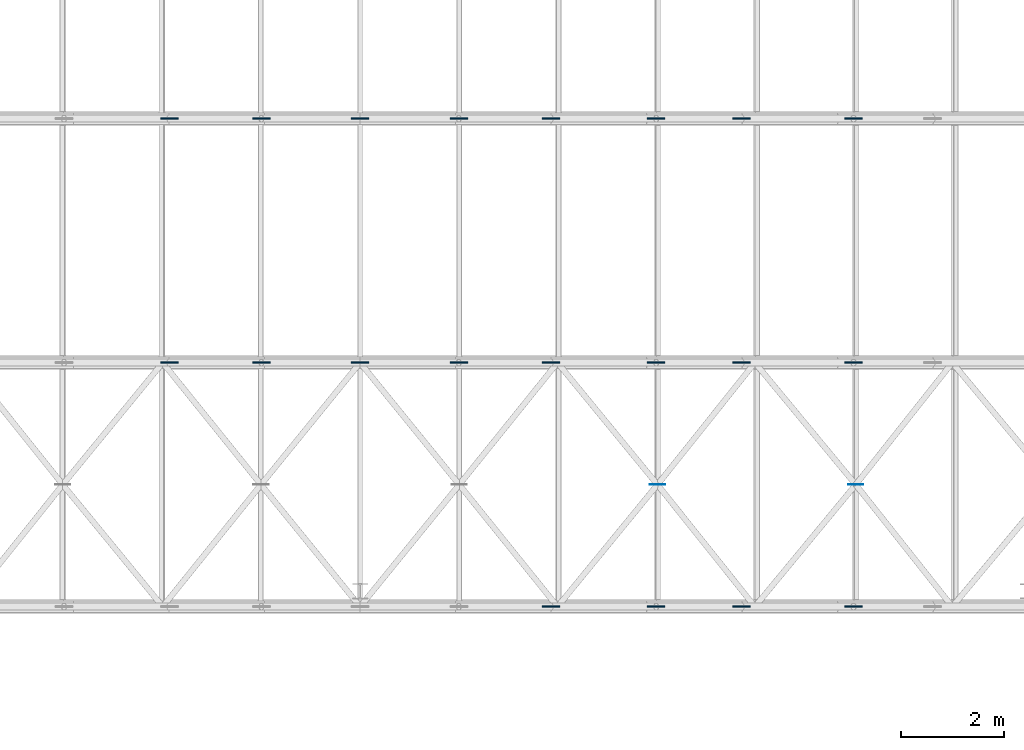
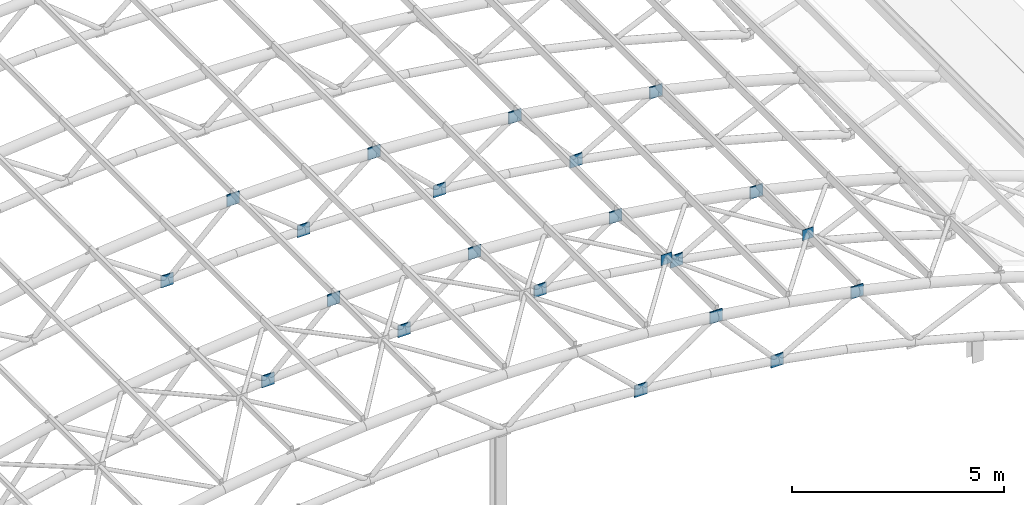
# One storey, part 12 of 22: 22 discrete accessories.
"""IFC4 building model written with IfcOpenShell, lengths in metres."""

from ifc_helpers import new_model, si_unit, direction, frame, origin, origin_2d, place, context, subcontext, project, spatial, rectangle, extrude, material, layer, layer_set, type_object, element, save


model = new_model("IFC4")

# Units and contexts
model_context = context("Model", 3, precision=1e-05, world=origin(), true_north=direction((0.0, 1.0)))
body_context = subcontext(model_context, "Body", "Model", "MODEL_VIEW")
ifc_project = project(units=[si_unit("LENGTHUNIT", "METRE"), si_unit("AREAUNIT", "SQUARE_METRE"), si_unit("VOLUMEUNIT", "CUBIC_METRE"), si_unit("PLANEANGLEUNIT", "RADIAN"), si_unit("MASSUNIT", "GRAM", prefix="KILO")], contexts=[model_context])

# Site, building, storey
site_placement = place(None, origin())
site = spatial("IfcSite", under=ifc_project, at=site_placement, CompositionType="ELEMENT")
building_placement = place(site_placement, origin())
building = spatial("IfcBuilding", under=site, at=building_placement, Name="Elbe Cascade School", CompositionType="ELEMENT")
storey_placement = place(building_placement, frame((0.0, 0.0, 18.89990234375)))
storey = spatial("IfcBuildingStorey", under=building, at=storey_placement, Name="R05", CompositionType="ELEMENT", Elevation=18.89990234375)

# Discrete accessories
ifc_material_1 = material(Name="Steel S355J2", Category="steel")
ifc_layer_1 = layer(ifc_material_1, 0.011962890625)
ifc_layer_set_1 = layer_set([ifc_layer_1], Name="Steel S355J2")
discrete_accessory_type_1 = type_object("IfcDiscreteAccessoryType", Name="Brace gusset plate 12 mm", PredefinedType="BRACKET", material=ifc_layer_set_1)
for number, where, z_axis, x_axis, name in (
    (1, (39.7890625, 43.375, 3.99853515625), (0.0, 0.0, 1.0), (1.0, 0.0, 0.0), "Brace gusset plate 12 mm AC2"),
    (2, (43.6484375, 43.375, 3.3701171875), (0.0, 0.0, 1.0), (1.0, 0.0, 0.0), "Brace gusset plate 12 mm AC2"),
):
    element("IfcDiscreteAccessory", number, at=place(storey_placement, frame(where, z_axis=z_axis, x_axis=x_axis)), inside=storey, type_object=discrete_accessory_type_1, Name=name, PredefinedType="BRACKET", context=body_context, shape_type="SweptSolid", body=[
        extrude(rectangle(XDim=0.300048828125, YDim=0.011962890625, at=origin_2d()), origin(), (0.0, 0.0, 1.0), 0.300048828125),
    ])
ifc_material_2 = material(Name="Steel S355J2", Category="steel")
ifc_layer_2 = layer(ifc_material_2, 0.030029296875)
ifc_layer_set_2 = layer_set([ifc_layer_2], Name="Steel S355J2")
discrete_accessory_type_2 = type_object("IfcDiscreteAccessoryType", Name="Truss node connection", PredefinedType="BRACKET", material=ifc_layer_set_2)
for number, where, z_axis, x_axis, name in (
    (3, (37.71435546875, 41.0, 2.37255859375), (0.0, 0.0, 1.0), (1.0, 0.0, 0.0), "Truss node connection AC1"),
    (4, (41.4287109375, 41.0, 1.921875), (0.0, 0.0, 1.0), (1.0, 0.0, 0.0), "Truss node connection AC1"),
    (5, (39.76416015625, 41.0, 3.7734375), (0.0, 0.0, 1.0), (1.0, 0.0, 0.0), "Truss node connection AC1"),
    (6, (43.60693359375, 41.0, 3.14794921875), (0.0, 0.0, 1.0), (1.0, 0.0, 0.0), "Truss node connection AC1"),
    (7, (30.28564453125, 45.75, 2.37255859375), (0.0, 0.0, 1.0), (1.0, 0.0, 0.0), "Truss node connection AC1"),
    (8, (34.0, 45.75, 2.52197265625), (0.0, 0.0, 1.0), (1.0, 0.0, 0.0), "Truss node connection AC1"),
    (9, (37.71435546875, 45.75, 2.37255859375), (0.0, 0.0, 1.0), (1.0, 0.0, 0.0), "Truss node connection AC1"),
    (10, (41.4287109375, 45.75, 1.921875), (0.0, 0.0, 1.0), (1.0, 0.0, 0.0), "Truss node connection AC1"),
    (11, (32.07861328125, 45.75, 4.08349609375), (0.0, 0.0, 1.0), (1.0, 0.0, 0.0), "Truss node connection AC1"),
    (12, (35.92138671875, 45.75, 4.08349609375), (0.0, 0.0, 1.0), (1.0, 0.0, 0.0), "Truss node connection AC1"),
    (13, (39.76416015625, 45.75, 3.7734375), (0.0, 0.0, 1.0), (1.0, 0.0, 0.0), "Truss node connection AC1"),
    (14, (43.60693359375, 45.75, 3.14794921875), (0.0, 0.0, 1.0), (1.0, 0.0, 0.0), "Truss node connection AC1"),
    (15, (30.28564453125, 50.5, 2.37255859375), (0.0, 0.0, 1.0), (1.0, 0.0, 0.0), "Truss node connection AC1"),
    (16, (34.0, 50.5, 2.52197265625), (0.0, 0.0, 1.0), (1.0, 0.0, 0.0), "Truss node connection AC1"),
    (17, (37.71435546875, 50.5, 2.37255859375), (0.0, 0.0, 1.0), (1.0, 0.0, 0.0), "Truss node connection AC1"),
    (18, (41.4287109375, 50.5, 1.921875), (0.0, 0.0, 1.0), (1.0, 0.0, 0.0), "Truss node connection AC1"),
    (19, (32.07861328125, 50.5, 4.08349609375), (0.0, 0.0, 1.0), (1.0, 0.0, 0.0), "Truss node connection AC1"),
    (20, (35.92138671875, 50.5, 4.08349609375), (0.0, 0.0, 1.0), (1.0, 0.0, 0.0), "Truss node connection AC1"),
    (21, (39.76416015625, 50.5, 3.7734375), (0.0, 0.0, 1.0), (1.0, 0.0, 0.0), "Truss node connection AC1"),
    (22, (43.60693359375, 50.5, 3.14794921875), (0.0, 0.0, 1.0), (1.0, 0.0, 0.0), "Truss node connection AC1"),
):
    element("IfcDiscreteAccessory", number, at=place(storey_placement, frame(where, z_axis=z_axis, x_axis=x_axis)), inside=storey, type_object=discrete_accessory_type_2, Name=name, PredefinedType="BRACKET", context=body_context, shape_type="SweptSolid", body=[
        extrude(rectangle(XDim=0.340087890625, YDim=0.030029296875, at=origin_2d()), origin(), (0.0, 0.0, 1.0), 0.340087890625),
    ])

save(model, "model.ifc")
